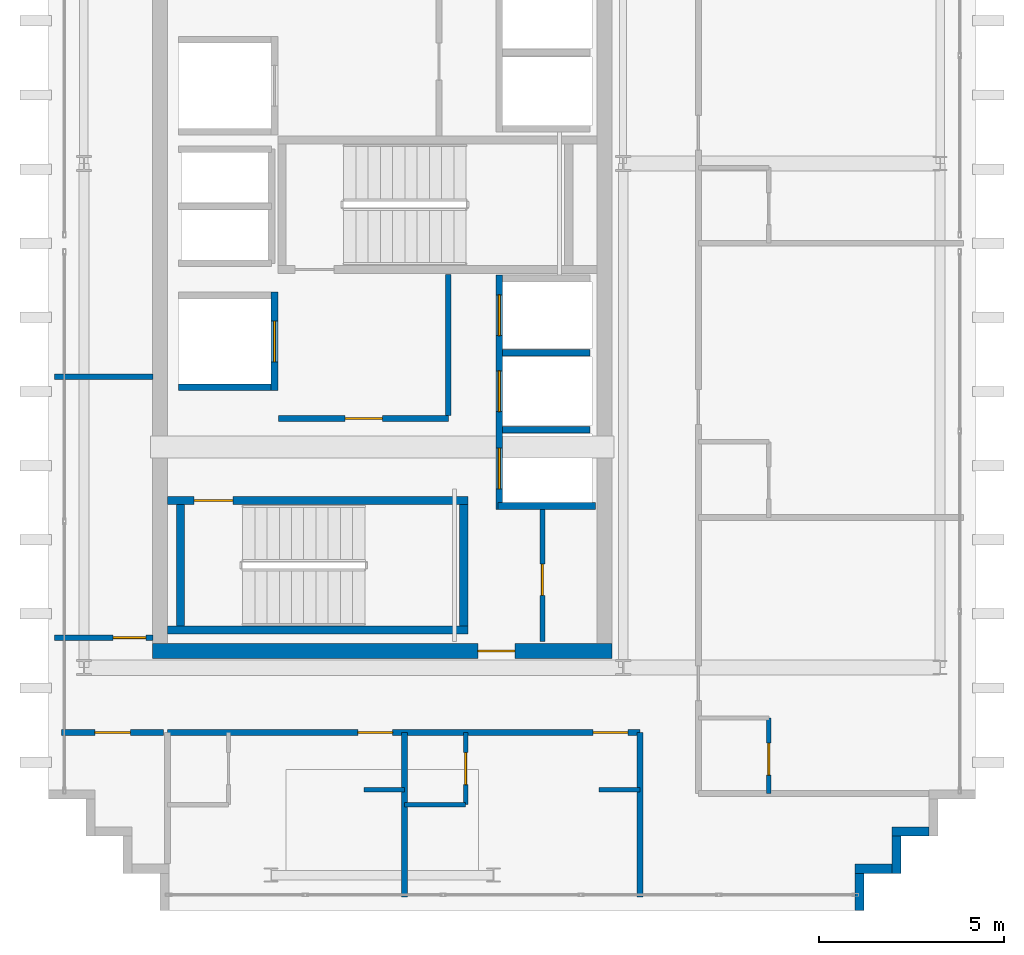
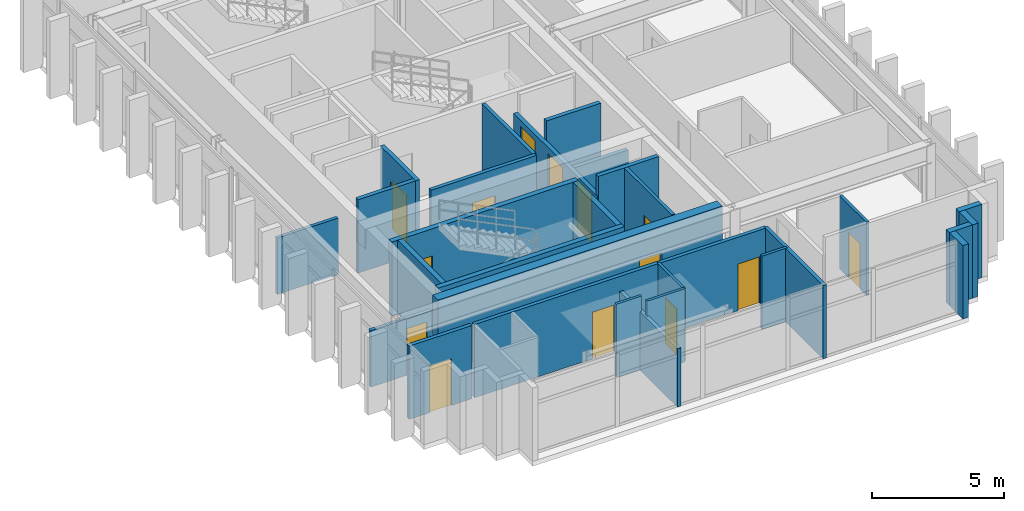
# One storey, part 12 of 15: 29 walls, 14 doors, 14 openings.
"""IFC4 building model written with IfcOpenShell, lengths in metres."""

from ifc_helpers import new_model, si_unit, direction, frame, frame_2d, origin, place, context, subcontext, project, spatial, rectangle, extrude, source, transform, mapped, material, layer, layer_set, type_object, element, fill, save


model = new_model("IFC4")

# Units and contexts
model_context = context("Model", 3, precision=1e-05, world=origin(), true_north=direction((0.0, 1.0)))
body_context = subcontext(model_context, "Body", "Model", "MODEL_VIEW")
ifc_project = project(units=[si_unit("LENGTHUNIT", "METRE"), si_unit("AREAUNIT", "SQUARE_METRE"), si_unit("VOLUMEUNIT", "CUBIC_METRE"), si_unit("PLANEANGLEUNIT", "RADIAN"), si_unit("MASSUNIT", "GRAM", prefix="KILO")], contexts=[model_context])

# Site, building, storey
site_placement = place(None, origin())
site = spatial("IfcSite", under=ifc_project, at=site_placement, CompositionType="ELEMENT")
building_placement = place(site_placement, origin())
building = spatial("IfcBuilding", under=site, at=building_placement, Name="Ocotamira Hotel", CompositionType="ELEMENT")
storey_placement = place(building_placement, frame((0.0, 0.0, 286.800048828125)))
storey = spatial("IfcBuildingStorey", under=building, at=storey_placement, Name="L73", CompositionType="ELEMENT", Elevation=286.800048828125)

# Wall, opening, door
ifc_material_1 = material(Name="Concrete C50/60", Category="concrete")
ifc_layer_1 = layer(ifc_material_1, 0.39990234375)
ifc_layer_set_1 = layer_set([ifc_layer_1], Name="Concrete C50/60")
wall_type_1 = type_object("IfcWallType", Name="WL-CORE-400", PredefinedType="SHEAR", material=ifc_layer_set_1)
wall_1_placement = place(storey_placement, frame((10.800048828125, 15.0, 0.0), z_axis=(0.0, 0.0, 1.0), x_axis=(1.0, 0.0, 0.0)))
wall_1 = element("IfcWall", 1, at=wall_1_placement, inside=storey, type_object=wall_type_1, Name="L73 Shear Core Wall WCORE-S", PredefinedType="SHEAR", context=body_context, shape_type="SweptSolid", body=[
    extrude(rectangle(XDim=12.39990234375, YDim=0.39990234375, at=frame_2d((6.199951171875, 0.0))), origin(), (0.0, 0.0, 1.0), 3.3798828125),
])
opening_1_placement = place(wall_1_placement, frame((8.780029296875, 0.0, 0.0)))
opening_1 = element("IfcOpeningElement", 2, at=opening_1_placement, cuts=wall_1, Name="Opening D-FR2", PredefinedType="OPENING", context=body_context, shape_type="SweptSolid", body=[
    extrude(rectangle(XDim=1.0, YDim=2.14990234375, at=frame_2d((0.5, 1.074951171875))), frame((0.0, 0.2099609375, 0.0), z_axis=(0.0, -1.0, 0.0), x_axis=(1.0, 0.0, 0.0)), (0.0, 0.0, 1.0), 0.419921875),
])
ifc_material_2 = material(Name="Fire-rated acoustic timber-veneer door", Category="wood")
door_type_1 = type_object("IfcDoorType", Name="DR-FIRE-1000", OperationType="NOTDEFINED", PredefinedType="DOOR", material=ifc_material_2)
shared_shape_1 = source(origin(), body_context, "Body", "SweptSolid", [
    extrude(rectangle(XDim=1.0, YDim=2.14990234375, at=frame_2d((0.5, 1.074951171875))), frame((0.0, 0.02490234375, 0.0), z_axis=(0.0, -1.0, 0.0), x_axis=(1.0, 0.0, 0.0)), (0.0, 0.0, 1.0), 0.050048828125),
])
door_1_placement = place(opening_1_placement, origin())
door_1 = element("IfcDoor", 3, at=door_1_placement, inside=storey, type_object=door_type_1, Name="L73 Door ID-L73-WLOB-S-D [ID-L73-WLOB-S-D]", OperationType="SINGLE_SWING_LEFT", OverallHeight=2.14990234375, OverallWidth=1.0, PredefinedType="DOOR", context=body_context, shape_type="MappedRepresentation", body=[
    mapped(shared_shape_1, transform((0.0, 0.0, 0.0), scale=1.0)),
])
fill(opening_1, door_1)

# Walls
ifc_material_3 = material(Name="Precast concrete C45/55", Category="concrete")
ifc_layer_2 = layer(ifc_material_3, 0.25)
ifc_layer_set_2 = layer_set([ifc_layer_2], Name="Precast concrete C45/55")
wall_type_2 = type_object("IfcWallType", Name="WL-EXT-SER-250", PredefinedType="SOLIDWALL", material=ifc_layer_set_2)
for number, where, z_axis, x_axis, name in (
    (4, (29.875, 8.0, 0.0), (0.0, 0.0, 1.0), (0.0, 1.0, 0.0), "L73 Serrated Corner Wall 01"),
    (5, (29.75, 9.125, 0.0), (0.0, 0.0, 1.0), (1.0, 0.0, 0.0), "L73 Serrated Corner Wall 02"),
    (6, (30.875, 9.0, 0.0), (0.0, 0.0, 1.0), (0.0, 1.0, 0.0), "L73 Serrated Corner Wall 03"),
    (7, (30.75, 10.125, 0.0), (0.0, 0.0, 1.0), (1.0, 0.0, 0.0), "L73 Serrated Corner Wall 04"),
):
    element("IfcWall", number, at=place(storey_placement, frame(where, z_axis=z_axis, x_axis=x_axis)), inside=storey, type_object=wall_type_2, Name=name, PredefinedType="SOLIDWALL", context=body_context, shape_type="SweptSolid", body=[
        extrude(rectangle(XDim=1.0, YDim=0.25, at=frame_2d((0.5, 0.0))), origin(), (0.0, 0.0, 1.0), 3.3798828125),
    ])

# Wall, opening, door
ifc_material_4 = material(Name="Acoustic double-layer fire gypsum board partition", Category="gypsum")
ifc_layer_3 = layer(ifc_material_4, 0.159912109375)
ifc_layer_set_3 = layer_set([ifc_layer_3], Name="Acoustic double-layer fire gypsum board partition")
wall_type_3 = type_object("IfcWallType", Name="WL-FIRE-160", PredefinedType="PARTITIONING", material=ifc_layer_set_3)
wall_2_placement = place(storey_placement, frame((14.199951171875, 21.27001953125, 0.0), z_axis=(0.0, 0.0, 1.0), x_axis=(1.0, 0.0, 0.0)))
wall_2 = element("IfcWall", 8, at=wall_2_placement, inside=storey, type_object=wall_type_3, Name="L73 Interior Wall PW-L73-FSAE1-S", PredefinedType="PARTITIONING", context=body_context, shape_type="SweptSolid", body=[
    extrude(rectangle(XDim=4.580078125, YDim=0.159912109375, at=frame_2d((2.2900390625, 0.0))), origin(), (0.0, 0.0, 1.0), 3.3798828125),
])
opening_2_placement = place(wall_2_placement, frame((1.800048828125, 0.0, 0.0)))
opening_2 = element("IfcOpeningElement", 9, at=opening_2_placement, cuts=wall_2, Name="Opening D-FR2", PredefinedType="OPENING", context=body_context, shape_type="SweptSolid", body=[
    extrude(rectangle(XDim=1.0, YDim=2.14990234375, at=frame_2d((0.5, 1.074951171875))), frame((0.0, 0.08984375, 0.0), z_axis=(0.0, -1.0, 0.0), x_axis=(1.0, 0.0, 0.0)), (0.0, 0.0, 1.0), 0.179931640625),
])
door_2_placement = place(opening_2_placement, origin())
door_2 = element("IfcDoor", 10, at=door_2_placement, inside=storey, type_object=door_type_1, Name="L73 Door ID-L73-FSAE1-D [ID-L73-FSAE1-D]", OperationType="SINGLE_SWING_LEFT", OverallHeight=2.14990234375, OverallWidth=1.0, PredefinedType="DOOR", context=body_context, shape_type="MappedRepresentation", body=[
    mapped(shared_shape_1, transform((0.0, 0.0, 0.0), scale=1.0)),
])
fill(opening_2, door_2)

# Wall
wall_3_placement = place(storey_placement, frame((18.780029296875, 21.35009765625, 0.0), z_axis=(0.0, 0.0, 1.0), x_axis=(0.0, 1.0, 0.0)))
element("IfcWall", 11, at=wall_3_placement, inside=storey, type_object=wall_type_3, Name="L73 Interior Wall PW-L73-FSAE1-E", PredefinedType="PARTITIONING", context=body_context, shape_type="SweptSolid", body=[
    extrude(rectangle(XDim=3.809814453125, YDim=0.159912109375, at=frame_2d((1.90478515625, 0.0))), origin(), (0.0, 0.0, 1.0), 3.3798828125),
])

# Wall, openings, doors
wall_4_placement = place(storey_placement, frame((11.199951171875, 12.800048828125, 0.0), z_axis=(0.0, 0.0, 1.0), x_axis=(1.0, 0.0, 0.0)))
wall_4 = element("IfcWall", 12, at=wall_4_placement, inside=storey, type_object=wall_type_3, Name="L73 Interior Wall PW-L73-WP1S-CORRW", PredefinedType="PARTITIONING", context=body_context, shape_type="SweptSolid", body=[
    extrude(rectangle(XDim=12.75, YDim=0.159912109375, at=frame_2d((6.375, 0.0))), origin(), (0.0, 0.0, 1.0), 3.3798828125),
])
opening_3_placement = place(wall_4_placement, frame((5.139892578125, 0.0, 0.0)))
opening_3 = element("IfcOpeningElement", 13, at=opening_3_placement, cuts=wall_4, Name="Opening D-GR1", PredefinedType="OPENING", context=body_context, shape_type="SweptSolid", body=[
    extrude(rectangle(XDim=0.93994140625, YDim=2.14990234375, at=frame_2d((0.469970703125, 1.074951171875))), frame((0.0, 0.08984375, 0.0), z_axis=(0.0, -1.0, 0.0), x_axis=(1.0, 0.0, 0.0)), (0.0, 0.0, 1.0), 0.179931640625),
])
opening_4_placement = place(wall_4_placement, frame((11.489990234375, 0.0, 0.0)))
opening_4 = element("IfcOpeningElement", 14, at=opening_4_placement, cuts=wall_4, Name="Opening D-GR1", PredefinedType="OPENING", context=body_context, shape_type="SweptSolid", body=[
    extrude(rectangle(XDim=0.93994140625, YDim=2.14990234375, at=frame_2d((0.469970703125, 1.074951171875))), frame((0.0, 0.08984375, 0.0), z_axis=(0.0, -1.0, 0.0), x_axis=(1.0, 0.0, 0.0)), (0.0, 0.0, 1.0), 0.179931640625),
])
ifc_material_5 = material(Name="Solid-core walnut suite entrance fire door", Category="wood")
door_type_2 = type_object("IfcDoorType", Name="DR-GUEST-940", OperationType="NOTDEFINED", PredefinedType="DOOR", material=ifc_material_5)
shared_shape_2 = source(origin(), body_context, "Body", "SweptSolid", [
    extrude(rectangle(XDim=0.93994140625, YDim=2.14990234375, at=frame_2d((0.469970703125, 1.074951171875))), frame((0.0, 0.02490234375, 0.0), z_axis=(0.0, -1.0, 0.0), x_axis=(1.0, 0.0, 0.0)), (0.0, 0.0, 1.0), 0.050048828125),
])
door_3_placement = place(opening_3_placement, origin())
door_3 = element("IfcDoor", 15, at=door_3_placement, inside=storey, type_object=door_type_2, Name="L73 Door ID-L73-WP1S-RMD1 [ID-L73-WP1S-RMD1]", OperationType="SINGLE_SWING_LEFT", OverallHeight=2.14990234375, OverallWidth=0.93994140625, PredefinedType="DOOR", context=body_context, shape_type="MappedRepresentation", body=[
    mapped(shared_shape_2, transform((0.0, 0.0, 0.0), scale=1.0)),
])
fill(opening_3, door_3)
door_4_placement = place(opening_4_placement, origin())
door_4 = element("IfcDoor", 16, at=door_4_placement, inside=storey, type_object=door_type_2, Name="L73 Door ID-L73-WP1S-RMD2 [ID-L73-WP1S-RMD2]", OperationType="SINGLE_SWING_RIGHT", OverallHeight=2.14990234375, OverallWidth=0.93994140625, PredefinedType="DOOR", context=body_context, shape_type="MappedRepresentation", body=[
    mapped(shared_shape_2, transform((0.0, 0.0, 0.0), scale=1.0)),
])
fill(opening_4, door_4)

# Wall, opening, door
wall_5_placement = place(storey_placement, frame((8.35009765625, 12.800048828125, 0.0), z_axis=(0.0, 0.0, 1.0), x_axis=(1.0, 0.0, 0.0)))
wall_5 = element("IfcWall", 17, at=wall_5_placement, inside=storey, type_object=wall_type_3, Name="L73 Interior Wall PW-L73-WPCSW1-CW", PredefinedType="PARTITIONING", context=body_context, shape_type="SweptSolid", body=[
    extrude(rectangle(XDim=2.75, YDim=0.159912109375, at=frame_2d((1.375, 0.0))), origin(), (0.0, 0.0, 1.0), 3.3798828125),
])
opening_5_placement = place(wall_5_placement, frame((0.89501953125, 0.0, 0.0)))
opening_5 = element("IfcOpeningElement", 18, at=opening_5_placement, cuts=wall_5, Name="Opening D-SV4", PredefinedType="OPENING", context=body_context, shape_type="SweptSolid", body=[
    extrude(rectangle(XDim=0.9599609375, YDim=2.14990234375, at=frame_2d((0.47998046875, 1.074951171875))), frame((0.0, 0.08984375, 0.0), z_axis=(0.0, -1.0, 0.0), x_axis=(1.0, 0.0, 0.0)), (0.0, 0.0, 1.0), 0.179931640625),
])
ifc_material_6 = material(Name="Fire-rated accessible walnut salon door", Category="wood")
door_type_3 = type_object("IfcDoorType", Name="DR-SERV-960", OperationType="NOTDEFINED", PredefinedType="DOOR", material=ifc_material_6)
shared_shape_3 = source(origin(), body_context, "Body", "SweptSolid", [
    extrude(rectangle(XDim=0.9599609375, YDim=2.14990234375, at=frame_2d((0.47998046875, 1.074951171875))), frame((0.0, 0.02490234375, 0.0), z_axis=(0.0, -1.0, 0.0), x_axis=(1.0, 0.0, 0.0)), (0.0, 0.0, 1.0), 0.050048828125),
])
door_5_placement = place(opening_5_placement, origin())
door_5 = element("IfcDoor", 19, at=door_5_placement, inside=storey, type_object=door_type_3, Name="L73 Door ID-L73-WPCSW1-CD [ID-L73-WPCSW1-CD]", OperationType="SINGLE_SWING_LEFT", OverallHeight=2.14990234375, OverallWidth=0.9599609375, PredefinedType="DOOR", context=body_context, shape_type="MappedRepresentation", body=[
    mapped(shared_shape_3, transform((0.0, 0.0, 0.0), scale=1.0)),
])
fill(opening_5, door_5)

# Wall
ifc_material_7 = material(Name="Moisture-resistant en-suite tile and gypsum partition", Category="gypsum")
ifc_layer_4 = layer(ifc_material_7, 0.1201171875)
ifc_layer_set_4 = layer_set([ifc_layer_4], Name="Moisture-resistant en-suite tile and gypsum partition")
wall_type_4 = type_object("IfcWallType", Name="WL-PART-120", PredefinedType="PARTITIONING", material=ifc_layer_set_4)
wall_6_placement = place(storey_placement, frame((16.5, 11.25, 0.0), z_axis=(0.0, 0.0, 1.0), x_axis=(1.0, 0.0, 0.0)))
element("IfcWall", 20, at=wall_6_placement, inside=storey, type_object=wall_type_4, Name="L73 Interior Wall PW-L73-WP1S-DRN1", PredefinedType="PARTITIONING", context=body_context, shape_type="SweptSolid", body=[
    extrude(rectangle(XDim=1.10009765625, YDim=0.1201171875, at=frame_2d((0.550048828125, 0.0))), origin(), (0.0, 0.0, 1.0), 3.3798828125),
])

# Wall, opening, door
wall_7_placement = place(storey_placement, frame((19.25, 10.85009765625, 0.0), z_axis=(0.0, 0.0, 1.0), x_axis=(0.0, 1.0, 0.0)))
wall_7 = element("IfcWall", 21, at=wall_7_placement, inside=storey, type_object=wall_type_4, Name="L73 Interior Wall PW-L73-WP1S-BAE2", PredefinedType="PARTITIONING", context=body_context, shape_type="SweptSolid", body=[
    extrude(rectangle(XDim=1.949951171875, YDim=0.1201171875, at=frame_2d((0.97509765625, 0.0))), origin(), (0.0, 0.0, 1.0), 3.3798828125),
])
opening_6_placement = place(wall_7_placement, frame((0.544921875, 0.0, 0.0)))
opening_6 = element("IfcOpeningElement", 22, at=opening_6_placement, cuts=wall_7, Name="Opening D-BA1", PredefinedType="OPENING", context=body_context, shape_type="SweptSolid", body=[
    extrude(rectangle(XDim=0.860107421875, YDim=2.10009765625, at=frame_2d((0.43017578125, 1.050048828125))), frame((0.0, 0.070068359375, 0.0), z_axis=(0.0, -1.0, 0.0), x_axis=(1.0, 0.0, 0.0)), (0.0, 0.0, 1.0), 0.14013671875),
])
ifc_material_8 = material(Name="Moisture-sealed en-suite timber door", Category="wood")
door_type_4 = type_object("IfcDoorType", Name="DR-BATH-860", OperationType="NOTDEFINED", PredefinedType="DOOR", material=ifc_material_8)
shared_shape_4 = source(origin(), body_context, "Body", "SweptSolid", [
    extrude(rectangle(XDim=0.860107421875, YDim=2.10009765625, at=frame_2d((0.43017578125, 1.050048828125))), frame((0.0, 0.02490234375, 0.0), z_axis=(0.0, -1.0, 0.0), x_axis=(1.0, 0.0, 0.0)), (0.0, 0.0, 1.0), 0.050048828125),
])
door_6_placement = place(opening_6_placement, origin())
door_6 = element("IfcDoor", 23, at=door_6_placement, inside=storey, type_object=door_type_4, Name="L73 Door ID-L73-WP1S-BAD2 [ID-L73-WP1S-BAD2]", OperationType="SINGLE_SWING_LEFT", OverallHeight=2.10009765625, OverallWidth=0.860107421875, PredefinedType="DOOR", context=body_context, shape_type="MappedRepresentation", body=[
    mapped(shared_shape_4, transform((0.0, 0.0, 0.0), scale=1.0)),
])
fill(opening_6, door_6)

# Walls
wall_8_placement = place(storey_placement, frame((17.60009765625, 10.85009765625, 0.0), z_axis=(0.0, 0.0, 1.0), x_axis=(1.0, 0.0, 0.0)))
element("IfcWall", 24, at=wall_8_placement, inside=storey, type_object=wall_type_4, Name="L73 Interior Wall PW-L73-WP1S-BAS2", PredefinedType="PARTITIONING", context=body_context, shape_type="SweptSolid", body=[
    extrude(rectangle(XDim=1.64990234375, YDim=0.1201171875, at=frame_2d((0.824951171875, 0.0))), origin(), (0.0, 0.0, 1.0), 3.3798828125),
])
wall_9_placement = place(storey_placement, frame((22.85009765625, 11.25, 0.0), z_axis=(0.0, 0.0, 1.0), x_axis=(1.0, 0.0, 0.0)))
element("IfcWall", 25, at=wall_9_placement, inside=storey, type_object=wall_type_4, Name="L73 Interior Wall PW-L73-WP1S-DRN2", PredefinedType="PARTITIONING", context=body_context, shape_type="SweptSolid", body=[
    extrude(rectangle(XDim=1.099853515625, YDim=0.1201171875, at=frame_2d((0.5498046875, 0.0))), origin(), (0.0, 0.0, 1.0), 3.3798828125),
])

# Wall, opening, door
wall_10_placement = place(storey_placement, frame((27.429931640625, 11.14990234375, 0.0), z_axis=(0.0, 0.0, 1.0), x_axis=(0.0, 1.0, 0.0)))
wall_10 = element("IfcWall", 26, at=wall_10_placement, inside=storey, type_object=wall_type_4, Name="L73 Interior Wall PW-L73-WP-EBE1", PredefinedType="PARTITIONING", context=body_context, shape_type="SweptSolid", body=[
    extrude(rectangle(XDim=2.0400390625, YDim=0.1201171875, at=frame_2d((1.02001953125, 0.0))), origin(), (0.0, 0.0, 1.0), 3.3798828125),
])
opening_7_placement = place(wall_10_placement, frame((0.5, 0.0, 0.0)))
opening_7 = element("IfcOpeningElement", 27, at=opening_7_placement, cuts=wall_10, Name="Opening D-BA1", PredefinedType="OPENING", context=body_context, shape_type="SweptSolid", body=[
    extrude(rectangle(XDim=0.860107421875, YDim=2.10009765625, at=frame_2d((0.43017578125, 1.050048828125))), frame((0.0, 0.070068359375, 0.0), z_axis=(0.0, -1.0, 0.0), x_axis=(1.0, 0.0, 0.0)), (0.0, 0.0, 1.0), 0.14013671875),
])
door_7_placement = place(opening_7_placement, origin())
door_7 = element("IfcDoor", 28, at=door_7_placement, inside=storey, type_object=door_type_4, Name="L73 Door ID-L73-WP-EBD1 [ID-L73-WP-EBD1]", OperationType="SINGLE_SWING_LEFT", OverallHeight=2.10009765625, OverallWidth=0.860107421875, PredefinedType="DOOR", context=body_context, shape_type="MappedRepresentation", body=[
    mapped(shared_shape_4, transform((0.0, 0.0, 0.0), scale=1.0)),
])
fill(opening_7, door_7)

ifc_material_9 = material(Name="Acoustic hospitality gypsum board partition", Category="gypsum")
ifc_layer_5 = layer(ifc_material_9, 0.14208984375)
ifc_layer_set_5 = layer_set([ifc_layer_5], Name="Acoustic hospitality gypsum board partition")
wall_type_5 = type_object("IfcWallType", Name="WL-PART-142", PredefinedType="PARTITIONING", material=ifc_layer_set_5)
wall_11_placement = place(storey_placement, frame((21.320068359375, 15.25, 0.0), z_axis=(0.0, 0.0, 1.0), x_axis=(0.0, 1.0, 0.0)))
wall_11 = element("IfcWall", 29, at=wall_11_placement, inside=storey, type_object=wall_type_5, Name="L73 Interior Wall PW-L73-WC-SE-W", PredefinedType="PARTITIONING", context=body_context, shape_type="SweptSolid", body=[
    extrude(rectangle(XDim=3.590087890625, YDim=0.14208984375, at=frame_2d((1.794921875, 0.0))), origin(), (0.0, 0.0, 1.0), 3.3798828125),
])
opening_8_placement = place(wall_11_placement, frame((1.25, 0.0, 0.0)))
opening_8 = element("IfcOpeningElement", 30, at=opening_8_placement, cuts=wall_11, Name="Opening D-SV1", PredefinedType="OPENING", context=body_context, shape_type="SweptSolid", body=[
    extrude(rectangle(XDim=0.840087890625, YDim=2.10009765625, at=frame_2d((0.419921875, 1.050048828125))), frame((0.0, 0.0810546875, 0.0), z_axis=(0.0, -1.0, 0.0), x_axis=(1.0, 0.0, 0.0)), (0.0, 0.0, 1.0), 0.162109375),
])
ifc_material_10 = material(Name="Fire-rated painted steel service door", Category="steel")
door_type_5 = type_object("IfcDoorType", Name="DR-SERV-840", OperationType="NOTDEFINED", PredefinedType="DOOR", material=ifc_material_10)
shared_shape_5 = source(origin(), body_context, "Body", "SweptSolid", [
    extrude(rectangle(XDim=0.840087890625, YDim=2.10009765625, at=frame_2d((0.419921875, 1.050048828125))), frame((0.0, 0.02490234375, 0.0), z_axis=(0.0, -1.0, 0.0), x_axis=(1.0, 0.0, 0.0)), (0.0, 0.0, 1.0), 0.050048828125),
])
door_8_placement = place(opening_8_placement, origin())
door_8 = element("IfcDoor", 31, at=door_8_placement, inside=storey, type_object=door_type_5, Name="L73 Door ID-L73-WC-SE-D [ID-L73-WC-SE-D]", OperationType="SINGLE_SWING_RIGHT", OverallHeight=2.10009765625, OverallWidth=0.840087890625, PredefinedType="DOOR", context=body_context, shape_type="MappedRepresentation", body=[
    mapped(shared_shape_5, transform((0.0, 0.0, 0.0), scale=1.0)),
])
fill(opening_8, door_8)

# Wall
wall_12_placement = place(storey_placement, frame((8.159912109375, 22.39990234375, 0.0), z_axis=(0.0, 0.0, 1.0), x_axis=(1.0, 0.0, 0.0)))
element("IfcWall", 32, at=wall_12_placement, inside=storey, type_object=wall_type_5, Name="L73 Interior Wall PW-L73-WP1W-DV1", PredefinedType="PARTITIONING", context=body_context, shape_type="SweptSolid", body=[
    extrude(rectangle(XDim=2.66015625, YDim=0.14208984375, at=frame_2d((1.330078125, 0.0))), origin(), (0.0, 0.0, 1.0), 2.600830078125),
])

# Wall, opening, door
ifc_layer_6 = layer(ifc_material_9, 0.14990234375)
ifc_layer_set_6 = layer_set([ifc_layer_6], Name="Acoustic hospitality gypsum board partition")
wall_type_6 = type_object("IfcWallType", Name="WL-PART-150", PredefinedType="PARTITIONING", material=ifc_layer_set_6)
wall_13_placement = place(storey_placement, frame((8.159912109375, 15.360107421875, 0.0), z_axis=(0.0, 0.0, 1.0), x_axis=(1.0, 0.0, 0.0)))
wall_13 = element("IfcWall", 33, at=wall_13_placement, inside=storey, type_object=wall_type_6, Name="L73 Interior Wall PW-L73-WP1W-WS", PredefinedType="PARTITIONING", context=body_context, shape_type="SweptSolid", body=[
    extrude(rectangle(XDim=2.66015625, YDim=0.14990234375, at=frame_2d((1.330078125, 0.0))), origin(), (0.0, 0.0, 1.0), 2.600830078125),
])
opening_9_placement = place(wall_13_placement, frame((1.580078125, 0.0, 0.0)))
opening_9 = element("IfcOpeningElement", 34, at=opening_9_placement, cuts=wall_13, Name="Opening D-SV2", PredefinedType="OPENING", context=body_context, shape_type="SweptSolid", body=[
    extrude(rectangle(XDim=0.8798828125, YDim=2.14990234375, at=frame_2d((0.43994140625, 1.074951171875))), frame((0.0, 0.0849609375, 0.0), z_axis=(0.0, -1.0, 0.0), x_axis=(1.0, 0.0, 0.0)), (0.0, 0.0, 1.0), 0.169921875),
])
door_type_6 = type_object("IfcDoorType", Name="DR-SERV-880", OperationType="NOTDEFINED", PredefinedType="DOOR", material=ifc_material_10)
shared_shape_6 = source(origin(), body_context, "Body", "SweptSolid", [
    extrude(rectangle(XDim=0.8798828125, YDim=2.14990234375, at=frame_2d((0.43994140625, 1.074951171875))), frame((0.0, 0.02490234375, 0.0), z_axis=(0.0, -1.0, 0.0), x_axis=(1.0, 0.0, 0.0)), (0.0, 0.0, 1.0), 0.050048828125),
])
door_9_placement = place(opening_9_placement, origin())
door_9 = element("IfcDoor", 35, at=door_9_placement, inside=storey, type_object=door_type_6, Name="L73 Door ID-L73-WP1W-DS [ID-L73-WP1W-DS]", OperationType="SINGLE_SWING_LEFT", OverallHeight=2.14990234375, OverallWidth=0.8798828125, PredefinedType="DOOR", context=body_context, shape_type="MappedRepresentation", body=[
    mapped(shared_shape_6, transform((0.0, 0.0, 0.0), scale=1.0)),
])
fill(opening_9, door_9)

# Walls
ifc_material_11 = material(Name="Acoustic double-stud hospitality gypsum partition", Category="gypsum")
ifc_layer_7 = layer(ifc_material_11, 0.159912109375)
ifc_layer_set_7 = layer_set([ifc_layer_7], Name="Acoustic double-stud hospitality gypsum partition")
wall_type_7 = type_object("IfcWallType", Name="WL-PART-160", PredefinedType="PARTITIONING", material=ifc_layer_set_7)
wall_14_placement = place(storey_placement, frame((23.949951171875, 8.360107421875, 0.0), z_axis=(0.0, 0.0, 1.0), x_axis=(0.0, 1.0, 0.0)))
element("IfcWall", 36, at=wall_14_placement, inside=storey, type_object=wall_type_7, Name="L73 Interior Wall PW-L73-WP1S-PWEND", PredefinedType="PARTITIONING", context=body_context, shape_type="SweptSolid", body=[
    extrude(rectangle(XDim=4.43994140625, YDim=0.159912109375, at=frame_2d((2.219970703125, 0.0))), origin(), (0.0, 0.0, 1.0), 3.3798828125),
])
wall_15_placement = place(storey_placement, frame((17.60009765625, 8.360107421875, 0.0), z_axis=(0.0, 0.0, 1.0), x_axis=(0.0, 1.0, 0.0)))
element("IfcWall", 37, at=wall_15_placement, inside=storey, type_object=wall_type_7, Name="L73 Interior Wall PW-L73-WP1S-PW1", PredefinedType="PARTITIONING", context=body_context, shape_type="SweptSolid", body=[
    extrude(rectangle(XDim=4.43994140625, YDim=0.159912109375, at=frame_2d((2.219970703125, 0.0))), origin(), (0.0, 0.0, 1.0), 2.68701171875),
])

# Wall, openings, doors
ifc_material_12 = material(Name="Fire-rated gypsum shaftliner board assembly", Category="gypsum")
ifc_layer_8 = layer(ifc_material_12, 0.179931640625)
ifc_layer_set_8 = layer_set([ifc_layer_8], Name="Fire-rated gypsum shaftliner board assembly")
wall_type_8 = type_object("IfcWallType", Name="WL-SHAFT-180", PredefinedType="SOLIDWALL", material=ifc_layer_set_8)
wall_16_placement = place(storey_placement, frame((20.159912109375, 18.820068359375, 0.0), z_axis=(0.0, 0.0, 1.0), x_axis=(0.0, 1.0, 0.0)))
wall_16 = element("IfcWall", 38, at=wall_16_placement, inside=storey, type_object=wall_type_8, Name="L73 Interior Wall PW-L73-LFW-BANK-high-F", PredefinedType="SOLIDWALL", context=body_context, shape_type="SweptSolid", body=[
    extrude(rectangle(XDim=6.31982421875, YDim=0.179931640625, at=frame_2d((3.159912109375, 0.0))), origin(), (0.0, 0.0, 1.0), 2.47998046875),
])
opening_10_placement = place(wall_16_placement, frame((0.554931640625, 0.0, 0.0)))
opening_10 = element("IfcOpeningElement", 39, at=opening_10_placement, cuts=wall_16, Name="Opening LD-LF-P7", PredefinedType="OPENING", context=body_context, shape_type="SweptSolid", body=[
    extrude(rectangle(XDim=1.10009765625, YDim=2.199951171875, at=frame_2d((0.550048828125, 1.10009765625))), frame((0.0, 0.10009765625, 0.0), z_axis=(0.0, -1.0, 0.0), x_axis=(1.0, 0.0, 0.0)), (0.0, 0.0, 1.0), 0.199951171875),
])
opening_11_placement = place(wall_16_placement, frame((2.635009765625, 0.0, 0.0)))
opening_11 = element("IfcOpeningElement", 40, at=opening_11_placement, cuts=wall_16, Name="Opening LD-LF-P8", PredefinedType="OPENING", context=body_context, shape_type="SweptSolid", body=[
    extrude(rectangle(XDim=1.10009765625, YDim=2.199951171875, at=frame_2d((0.550048828125, 1.10009765625))), frame((0.0, 0.10009765625, 0.0), z_axis=(0.0, -1.0, 0.0), x_axis=(1.0, 0.0, 0.0)), (0.0, 0.0, 1.0), 0.199951171875),
])
opening_12_placement = place(wall_16_placement, frame((4.68994140625, 0.0, 0.0)))
opening_12 = element("IfcOpeningElement", 41, at=opening_12_placement, cuts=wall_16, Name="Opening LD-LF-P9", PredefinedType="OPENING", context=body_context, shape_type="SweptSolid", body=[
    extrude(rectangle(XDim=1.10009765625, YDim=2.199951171875, at=frame_2d((0.550048828125, 1.10009765625))), frame((0.0, 0.10009765625, 0.0), z_axis=(0.0, -1.0, 0.0), x_axis=(1.0, 0.0, 0.0)), (0.0, 0.0, 1.0), 0.199951171875),
])
ifc_material_13 = material(Name="Brushed pale-metal stainless elevator landing door", Category="steel")
door_type_7 = type_object("IfcDoorType", Name="DR-LIFT-1100", OperationType="NOTDEFINED", PredefinedType="DOOR", material=ifc_material_13)
shared_shape_7 = source(origin(), body_context, "Body", "SweptSolid", [
    extrude(rectangle(XDim=1.10009765625, YDim=2.199951171875, at=frame_2d((0.550048828125, 1.10009765625))), frame((0.0, 0.02490234375, 0.0), z_axis=(0.0, -1.0, 0.0), x_axis=(1.0, 0.0, 0.0)), (0.0, 0.0, 1.0), 0.050048828125),
])
door_10_placement = place(opening_10_placement, origin())
door_10 = element("IfcDoor", 42, at=door_10_placement, inside=storey, type_object=door_type_7, Name="L73 Landing Door LD-LF-P7 [ID-L73-LD-LF-P7]", OperationType="DOUBLE_DOOR_SLIDING", OverallHeight=2.199951171875, OverallWidth=1.10009765625, PredefinedType="DOOR", context=body_context, shape_type="MappedRepresentation", body=[
    mapped(shared_shape_7, transform((0.0, 0.0, 0.0), scale=1.0)),
])
fill(opening_10, door_10)
door_11_placement = place(opening_11_placement, origin())
door_11 = element("IfcDoor", 43, at=door_11_placement, inside=storey, type_object=door_type_7, Name="L73 Landing Door LD-LF-P8 [ID-L73-LD-LF-P8]", OperationType="DOUBLE_DOOR_SLIDING", OverallHeight=2.199951171875, OverallWidth=1.10009765625, PredefinedType="DOOR", context=body_context, shape_type="MappedRepresentation", body=[
    mapped(shared_shape_7, transform((0.0, 0.0, 0.0), scale=1.0)),
])
fill(opening_11, door_11)
door_12_placement = place(opening_12_placement, origin())
door_12 = element("IfcDoor", 44, at=door_12_placement, inside=storey, type_object=door_type_7, Name="L73 Landing Door LD-LF-P9 [ID-L73-LD-LF-P9]", OperationType="DOUBLE_DOOR_SLIDING", OverallHeight=2.199951171875, OverallWidth=1.10009765625, PredefinedType="DOOR", context=body_context, shape_type="MappedRepresentation", body=[
    mapped(shared_shape_7, transform((0.0, 0.0, 0.0), scale=1.0)),
])
fill(opening_12, door_12)

# Walls
wall_17_placement = place(storey_placement, frame((20.1201171875, 18.909912109375, 0.0), z_axis=(0.0, 0.0, 1.0), x_axis=(1.0, 0.0, 0.0)))
element("IfcWall", 45, at=wall_17_placement, inside=storey, type_object=wall_type_8, Name="L73 Interior Wall PW-L73-LFW-BANK-high-S", PredefinedType="SOLIDWALL", context=body_context, shape_type="SweptSolid", body=[
    extrude(rectangle(XDim=2.6298828125, YDim=0.179931640625, at=frame_2d((1.31494140625, 0.0))), origin(), (0.0, 0.0, 1.0), 3.3798828125),
])
wall_18_placement = place(storey_placement, frame((20.25, 20.965087890625, 0.0), z_axis=(0.0, 0.0, 1.0), x_axis=(1.0, 0.0, 0.0)))
element("IfcWall", 46, at=wall_18_placement, inside=storey, type_object=wall_type_8, Name="L73 Interior Wall PW-L73-LFW-DIV-LF-P7", PredefinedType="SOLIDWALL", context=body_context, shape_type="SweptSolid", body=[
    extrude(rectangle(XDim=2.360107421875, YDim=0.179931640625, at=frame_2d((1.18017578125, 0.0))), origin(), (0.0, 0.0, 1.0), 2.47998046875),
])
wall_19_placement = place(storey_placement, frame((20.25, 23.044921875, 0.0), z_axis=(0.0, 0.0, 1.0), x_axis=(1.0, 0.0, 0.0)))
element("IfcWall", 47, at=wall_19_placement, inside=storey, type_object=wall_type_8, Name="L73 Interior Wall PW-L73-LFW-DIV-LF-P8", PredefinedType="SOLIDWALL", context=body_context, shape_type="SweptSolid", body=[
    extrude(rectangle(XDim=2.360107421875, YDim=0.179931640625, at=frame_2d((1.18017578125, 0.0))), origin(), (0.0, 0.0, 1.0), 3.3798828125),
])
wall_20_placement = place(storey_placement, frame((11.5, 22.110107421875, 0.0), z_axis=(0.0, 0.0, 1.0), x_axis=(1.0, 0.0, 0.0)))
element("IfcWall", 48, at=wall_20_placement, inside=storey, type_object=wall_type_8, Name="L73 Interior Wall PW-L73-LFW-LF-FSAE1-S", PredefinedType="SOLIDWALL", context=body_context, shape_type="SweptSolid", body=[
    extrude(rectangle(XDim=2.5, YDim=0.179931640625, at=frame_2d((1.25, 0.0))), origin(), (0.0, 0.0, 1.0), 3.3798828125),
])

# Wall, opening, door
wall_21_placement = place(storey_placement, frame((14.090087890625, 22.02001953125, 0.0), z_axis=(0.0, 0.0, 1.0), x_axis=(0.0, 1.0, 0.0)))
wall_21 = element("IfcWall", 49, at=wall_21_placement, inside=storey, type_object=wall_type_8, Name="L73 Interior Wall PW-L73-LFW-LF-FSAE1-E", PredefinedType="SOLIDWALL", context=body_context, shape_type="SweptSolid", body=[
    extrude(rectangle(XDim=2.659912109375, YDim=0.179931640625, at=frame_2d((1.330078125, 0.0))), origin(), (0.0, 0.0, 1.0), 3.3798828125),
])
opening_13_placement = place(wall_21_placement, frame((0.780029296875, 0.0, 0.0)))
opening_13 = element("IfcOpeningElement", 50, at=opening_13_placement, cuts=wall_21, Name="Opening LD-LF-FSAE1", PredefinedType="OPENING", context=body_context, shape_type="SweptSolid", body=[
    extrude(rectangle(XDim=1.10009765625, YDim=2.199951171875, at=frame_2d((0.550048828125, 1.10009765625))), frame((0.0, 0.10009765625, 0.0), z_axis=(0.0, -1.0, 0.0), x_axis=(1.0, 0.0, 0.0)), (0.0, 0.0, 1.0), 0.199951171875),
])
door_13_placement = place(opening_13_placement, origin())
door_13 = element("IfcDoor", 51, at=door_13_placement, inside=storey, type_object=door_type_7, Name="L73 Landing Door LD-LF-FSAE1 [ID-L73-LD-LF-FSAE1]", OperationType="DOUBLE_DOOR_SLIDING", OverallHeight=2.199951171875, OverallWidth=1.10009765625, PredefinedType="DOOR", context=body_context, shape_type="MappedRepresentation", body=[
    mapped(shared_shape_7, transform((0.0, 0.0, 0.0), scale=1.0)),
])
fill(opening_13, door_13)

# Wall
ifc_layer_9 = layer(ifc_material_1, 0.219970703125)
ifc_layer_set_9 = layer_set([ifc_layer_9], Name="Concrete C50/60")
wall_type_9 = type_object("IfcWallType", Name="WL-STAIR-220", PredefinedType="SHEAR", material=ifc_layer_set_9)
wall_22_placement = place(storey_placement, frame((11.199951171875, 15.56005859375, 0.0), z_axis=(0.0, 0.0, 1.0), x_axis=(1.0, 0.0, 0.0)))
element("IfcWall", 52, at=wall_22_placement, inside=storey, type_object=wall_type_9, Name="L73 Stair Shaft Structural Wall ST-1-S", PredefinedType="SHEAR", context=body_context, shape_type="SweptSolid", body=[
    extrude(rectangle(XDim=8.110107421875, YDim=0.219970703125, at=frame_2d((4.05517578125, 0.0))), origin(), (0.0, 0.0, 1.0), 3.39990234375),
])

# Wall, opening, door
wall_23_placement = place(storey_placement, frame((11.199951171875, 19.06005859375, 0.0), z_axis=(0.0, 0.0, 1.0), x_axis=(1.0, 0.0, 0.0)))
wall_23 = element("IfcWall", 53, at=wall_23_placement, inside=storey, type_object=wall_type_9, Name="L73 Stair Shaft Structural Wall ST-1-N", PredefinedType="SHEAR", context=body_context, shape_type="SweptSolid", body=[
    extrude(rectangle(XDim=8.110107421875, YDim=0.219970703125, at=frame_2d((4.05517578125, 0.0))), origin(), (0.0, 0.0, 1.0), 3.39990234375),
])
opening_14_placement = place(wall_23_placement, frame((0.719970703125, 0.0, 0.0)))
opening_14 = element("IfcOpeningElement", 54, at=opening_14_placement, cuts=wall_23, Name="Opening D-ST2", PredefinedType="OPENING", context=body_context, shape_type="SweptSolid", body=[
    extrude(rectangle(XDim=1.050048828125, YDim=2.14990234375, at=frame_2d((0.52490234375, 1.074951171875))), frame((0.0, 0.1201171875, 0.0), z_axis=(0.0, -1.0, 0.0), x_axis=(1.0, 0.0, 0.0)), (0.0, 0.0, 1.0), 0.239990234375),
])
ifc_material_14 = material(Name="Insulated painted hollow-metal fire exit door", Category="steel")
door_type_8 = type_object("IfcDoorType", Name="DR-STAIR-1050", OperationType="NOTDEFINED", PredefinedType="DOOR", material=ifc_material_14)
shared_shape_8 = source(origin(), body_context, "Body", "SweptSolid", [
    extrude(rectangle(XDim=1.050048828125, YDim=2.14990234375, at=frame_2d((0.52490234375, 1.074951171875))), frame((0.0, 0.02490234375, 0.0), z_axis=(0.0, -1.0, 0.0), x_axis=(1.0, 0.0, 0.0)), (0.0, 0.0, 1.0), 0.050048828125),
])
door_14_placement = place(opening_14_placement, origin())
door_14 = element("IfcDoor", 55, at=door_14_placement, inside=storey, type_object=door_type_8, Name="L73 Door ID-L73-STD-ST-1 [ID-L73-STD-ST-1]", OperationType="SINGLE_SWING_RIGHT", OverallHeight=2.14990234375, OverallWidth=1.050048828125, PredefinedType="DOOR", context=body_context, shape_type="MappedRepresentation", body=[
    mapped(shared_shape_8, transform((0.0, 0.0, 0.0), scale=1.0)),
])
fill(opening_14, door_14)

# Walls
for number, where, z_axis, x_axis, name in (
    (56, (11.56005859375, 15.669921875, 0.0), (0.0, 0.0, 1.0), (0.0, 1.0, 0.0), "L73 Stair Shaft Structural Wall ST-1-W"),
    (57, (19.199951171875, 15.669921875, 0.0), (0.0, 0.0, 1.0), (0.0, 1.0, 0.0), "L73 Stair Shaft Structural Wall ST-1-E"),
):
    element("IfcWall", number, at=place(storey_placement, frame(where, z_axis=z_axis, x_axis=x_axis)), inside=storey, type_object=wall_type_9, Name=name, PredefinedType="SHEAR", context=body_context, shape_type="SweptSolid", body=[
        extrude(rectangle(XDim=3.280029296875, YDim=0.219970703125, at=frame_2d((1.64013671875, 0.0))), origin(), (0.0, 0.0, 1.0), 3.39990234375),
    ])

save(model, "model.ifc")
